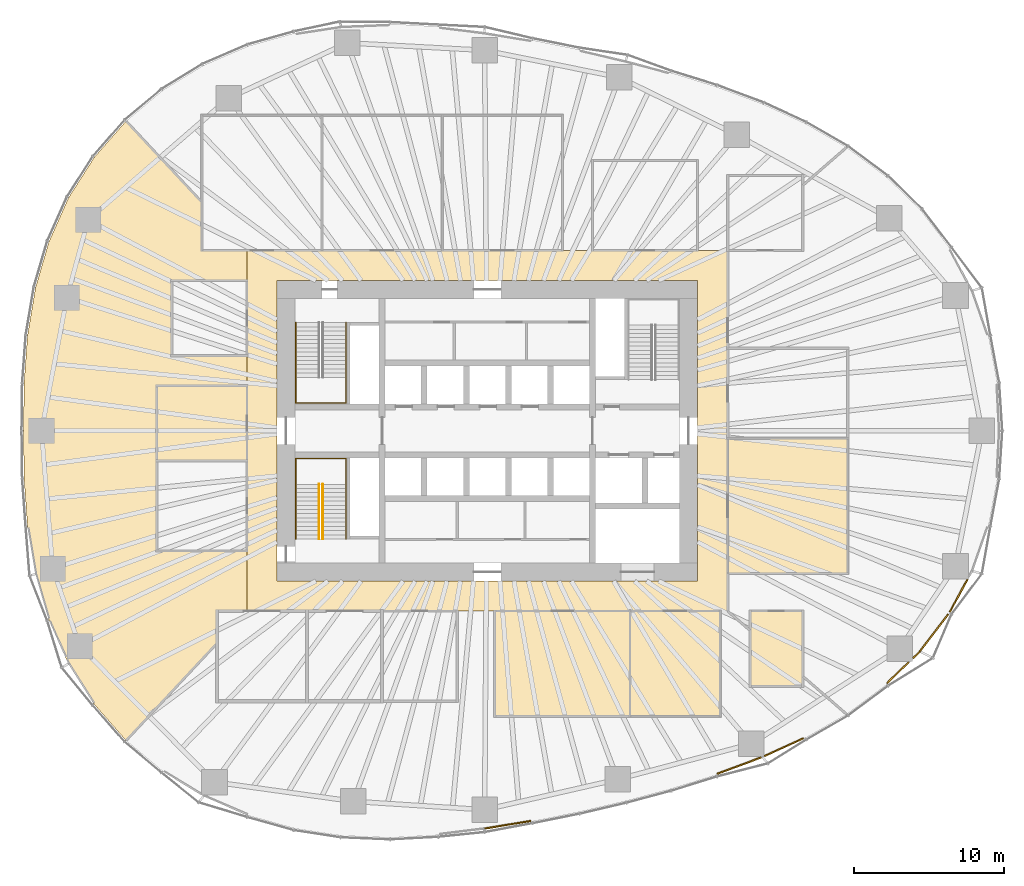
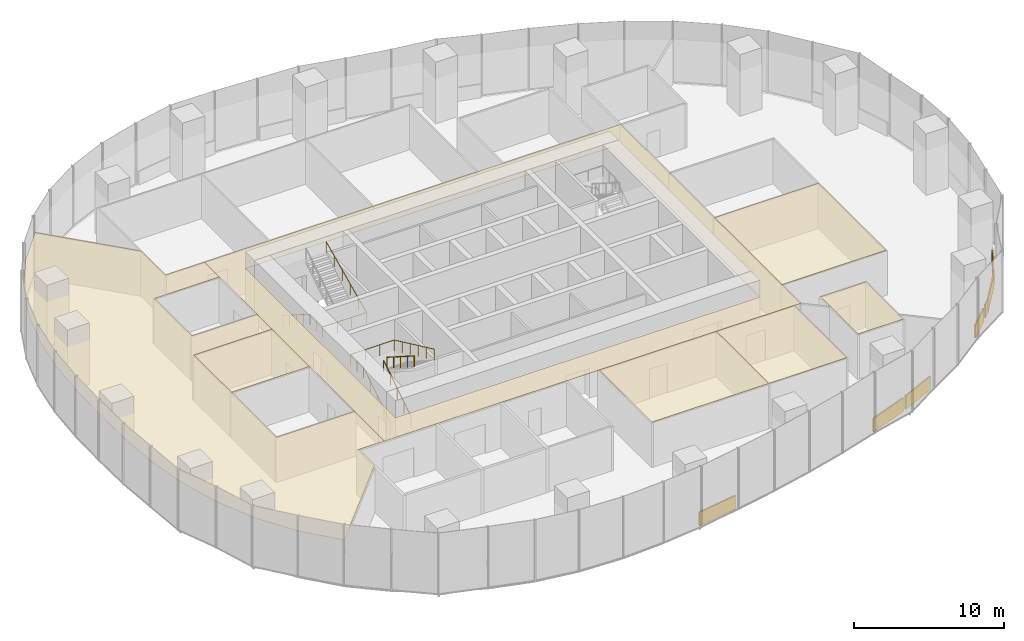
# One storey, part 18 of 20: 14 coverings, 4 railings.
"""IFC4 building model written with IfcOpenShell, lengths in metres."""

from ifc_helpers import new_model, si_unit, direction, frame, origin, origin_2d, place, context, subcontext, project, spatial, polyline, rectangle, circle, outline, extrude, material, layer, layer_set, type_object, element, save


model = new_model("IFC4")

# Units and contexts
model_context = context("Model", 3, precision=1e-05, world=origin(), true_north=direction((0.0, 1.0)))
body_context = subcontext(model_context, "Body", "Model", "MODEL_VIEW")
ifc_project = project(units=[si_unit("LENGTHUNIT", "METRE"), si_unit("AREAUNIT", "SQUARE_METRE"), si_unit("VOLUMEUNIT", "CUBIC_METRE"), si_unit("PLANEANGLEUNIT", "RADIAN"), si_unit("MASSUNIT", "GRAM", prefix="KILO")], contexts=[model_context])

# Site, building, storey
site_placement = place(None, origin())
site = spatial("IfcSite", under=ifc_project, at=site_placement, CompositionType="ELEMENT")
building_placement = place(site_placement, origin())
building = spatial("IfcBuilding", under=site, at=building_placement, Name="Ghaith Harvest Tower", CompositionType="ELEMENT")
storey_placement = place(building_placement, frame((0.0, 0.0, 65.0)))
storey = spatial("IfcBuildingStorey", under=building, at=storey_placement, Name="L13", CompositionType="ELEMENT", Elevation=65.0)

# Coverings
ifc_material_1 = material(Name="Mineral fibre ceiling tile", Category="gypsum")
ifc_layer_1 = layer(ifc_material_1, 0.02490234375)
ifc_layer_set_1 = layer_set([ifc_layer_1], Name="CEILING C2")
covering_type_1 = type_object("IfcCoveringType", Name="CEILING C2", PredefinedType="CEILING", material=ifc_layer_set_1)
covering_1_placement = place(storey_placement, frame((0.0, 0.0, 3.60009765625)))
element("IfcCovering", 1, at=covering_1_placement, inside=storey, type_object=covering_type_1, Name="Ceiling L13-05", PredefinedType="CEILING", context=body_context, shape_type="SweptSolid", body=[
    extrude(outline(polyline([(16.0, -9.5), (24.0, -9.5), (24.0, -0.5), (16.0, -0.5), (16.0, -9.5)])), origin(), (0.0, 0.0, 1.0), 0.02490234375),
])
covering_2_placement = place(storey_placement, frame((0.0, 0.0, 3.60009765625)))
element("IfcCovering", 2, at=covering_2_placement, inside=storey, type_object=covering_type_1, Name="Ceiling L13-08", PredefinedType="CEILING", context=body_context, shape_type="SweptSolid", body=[
    extrude(outline(polyline([(-22.0, -2.0), (-16.0, -2.0), (-16.0, 3.0), (-22.0, 3.0), (-22.0, -2.0)])), origin(), (0.0, 0.0, 1.0), 0.02490234375),
])
covering_3_placement = place(storey_placement, frame((0.0, 0.0, 3.60009765625)))
element("IfcCovering", 3, at=covering_3_placement, inside=storey, type_object=covering_type_1, Name="Ceiling L13-12", PredefinedType="CEILING", context=body_context, shape_type="SweptSolid", body=[
    extrude(outline(polyline([(0.5, -19.0), (9.5, -19.0), (9.5, -12.0), (0.5, -12.0), (0.5, -19.0)])), origin(), (0.0, 0.0, 1.0), 0.02490234375),
])
covering_4_placement = place(storey_placement, frame((0.0, 0.0, 3.60009765625)))
element("IfcCovering", 4, at=covering_4_placement, inside=storey, type_object=covering_type_1, Name="Ceiling L13-13", PredefinedType="CEILING", context=body_context, shape_type="SweptSolid", body=[
    extrude(outline(polyline([(9.5, -19.0), (15.5, -19.0), (15.5, -12.0), (9.5, -12.0), (9.5, -19.0)])), origin(), (0.0, 0.0, 1.0), 0.02490234375),
])
covering_5_placement = place(storey_placement, frame((0.0, 0.0, 3.60009765625)))
element("IfcCovering", 5, at=covering_5_placement, inside=storey, type_object=covering_type_1, Name="Ceiling L13-15", PredefinedType="CEILING", context=body_context, shape_type="SweptSolid", body=[
    extrude(outline(polyline([(17.5, -17.0), (21.0, -17.0), (21.0, -12.0), (17.5, -12.0), (17.5, -17.0)])), origin(), (0.0, 0.0, 1.0), 0.02490234375),
])
covering_6_placement = place(storey_placement, frame((0.0, 0.0, 3.60009765625)))
element("IfcCovering", 6, at=covering_6_placement, inside=storey, type_object=covering_type_1, Name="Ceiling L13-C1", PredefinedType="CEILING", context=body_context, shape_type="SweptSolid", body=[
    extrude(outline(polyline([(-16.0, 12.0), (16.0, 12.0), (16.0, -12.0), (-16.0, -12.0), (-16.0, 12.0)]), holes=[polyline([(14.0, 10.0), (-14.0, 10.0), (-14.0, -10.0), (14.0, -10.0), (14.0, 10.0)])]), origin(), (0.0, 0.0, 1.0), 0.02490234375),
])
covering_7_placement = place(storey_placement, frame((0.0, 0.0, 3.60009765625)))
element("IfcCovering", 7, at=covering_7_placement, inside=storey, type_object=covering_type_1, Name="Ceiling L13-W1", PredefinedType="CEILING", context=body_context, shape_type="SweptSolid", body=[
    extrude(outline(polyline([(-26.16455078125, -18.20556640625), (-27.881591796875, -15.507080078125), (-29.182373046875, -12.587890625), (-30.073974609375, -9.531005859375), (-30.606689453125, -6.35107421875), (-30.837158203125, -3.165771484375), (-30.875, 0.0), (-30.837158203125, 3.165771484375), (-30.606689453125, 6.35107421875), (-30.073974609375, 9.531005859375), (-29.182373046875, 12.587890625), (-27.881591796875, 15.507080078125), (-26.16455078125, 18.20556640625), (-24.04833984375, 20.618408203125), (-19.0, 15.21240234375), (-19.0, 12.0), (-16.0, 12.0), (-16.0, 10.0), (-21.0, 10.0), (-21.0, 5.0), (-16.0, 5.0), (-16.0, 3.0), (-22.0, 3.0), (-22.0, -8.0), (-16.0, -8.0), (-16.0, -12.0), (-18.0, -12.0), (-18.0, -14.1416015625), (-24.04833984375, -20.618408203125), (-26.16455078125, -18.20556640625)])), origin(), (0.0, 0.0, 1.0), 0.02490234375),
])

# Railings
ifc_material_2 = material(Name="Steel, black powder-coated", Category="steel")
railing_type = type_object("IfcRailingType", Name="HANDRAIL HR1", PredefinedType="HANDRAIL", material=ifc_material_2)
railing_1_placement = place(storey_placement, frame((-12.75, 7.199951171875, 0.178466796875)))
element("IfcRailing", 8, at=railing_1_placement, inside=storey, type_object=railing_type, Name="Handrail HR1 stair ST1 L13 wall side", PredefinedType="HANDRAIL", context=body_context, shape_type="SweptSolid", body=[
    extrude(circle(Radius=0.02392578125, at=origin_2d()), frame((0.0, 0.0, 0.8759765625), z_axis=(0.0, -0.843111507901, 0.53773877045), x_axis=(1.0, 0.0, 0.0)), (0.0, 0.0, 1.0), 4.317138671875),
    extrude(circle(Radius=0.02392578125, at=origin_2d()), frame((0.0, -3.639892578125, 3.197265625), z_axis=(0.0, -1.0, 0.0), x_axis=(1.0, 0.0, 0.0)), (0.0, 0.0, 1.0), 1.7099609375),
    extrude(circle(Radius=0.02392578125, at=origin_2d()), frame((0.0, -5.349853515625, 3.197265625), z_axis=(1.0, 0.0, 0.0), x_axis=(0.0, 1.0, 0.0)), (0.0, 0.0, 1.0), 3.35009765625),
    extrude(circle(Radius=0.02392578125, at=origin_2d()), frame((3.35009765625, -5.349853515625, 3.197265625), z_axis=(0.0, 0.905962265858, 0.423358444868), x_axis=(-1.0, 0.0, 0.0)), (0.0, 0.0, 1.0), 5.9052734375),
    extrude(circle(Radius=0.02099609375, at=origin_2d()), origin(), (0.0, 0.0, 1.0), 0.851806640625),
    extrude(circle(Radius=0.02099609375, at=origin_2d()), frame((0.0, -0.909912109375, 0.580322265625)), (0.0, 0.0, 1.0), 0.851806640625),
    extrude(circle(Radius=0.02099609375, at=origin_2d()), frame((0.0, -1.81982421875, 1.16064453125)), (0.0, 0.0, 1.0), 0.851806640625),
    extrude(circle(Radius=0.02099609375, at=origin_2d()), frame((0.0, -2.72998046875, 1.7412109375)), (0.0, 0.0, 1.0), 0.851806640625),
    extrude(circle(Radius=0.02099609375, at=origin_2d()), frame((0.0, -3.639892578125, 2.321533203125)), (0.0, 0.0, 1.0), 0.851806640625),
    extrude(circle(Radius=0.02099609375, at=origin_2d()), frame((0.0, -4.494873046875, 2.321533203125)), (0.0, 0.0, 1.0), 0.851806640625),
    extrude(circle(Radius=0.02099609375, at=origin_2d()), frame((0.0, -5.349853515625, 2.321533203125)), (0.0, 0.0, 1.0), 0.851806640625),
    extrude(circle(Radius=0.02099609375, at=origin_2d()), frame((1.11669921875, -5.349853515625, 2.321533203125)), (0.0, 0.0, 1.0), 0.851806640625),
    extrude(circle(Radius=0.02099609375, at=origin_2d()), frame((2.2333984375, -5.349853515625, 2.321533203125)), (0.0, 0.0, 1.0), 0.851806640625),
    extrude(circle(Radius=0.02099609375, at=origin_2d()), frame((3.35009765625, -5.349853515625, 2.321533203125)), (0.0, 0.0, 1.0), 0.851806640625),
    extrude(circle(Radius=0.02099609375, at=origin_2d()), frame((3.35009765625, -4.27978515625, 2.821533203125)), (0.0, 0.0, 1.0), 0.851806640625),
    extrude(circle(Radius=0.02099609375, at=origin_2d()), frame((3.35009765625, -3.2099609375, 3.321533203125)), (0.0, 0.0, 1.0), 0.851806640625),
    extrude(circle(Radius=0.02099609375, at=origin_2d()), frame((3.35009765625, -2.139892578125, 3.821533203125)), (0.0, 0.0, 1.0), 0.851806640625),
    extrude(circle(Radius=0.02099609375, at=origin_2d()), frame((3.35009765625, -1.070068359375, 4.321533203125)), (0.0, 0.0, 1.0), 0.851806640625),
    extrude(circle(Radius=0.02099609375, at=origin_2d()), frame((3.35009765625, 0.0, 4.821533203125)), (0.0, 0.0, 1.0), 0.851806640625),
])
railing_2_placement = place(storey_placement, frame((-11.199951171875, -7.199951171875, 0.178466796875)))
element("IfcRailing", 9, at=railing_2_placement, inside=storey, type_object=railing_type, Name="Handrail HR1 stair ST3 L13 flight 1 inner", PredefinedType="HANDRAIL", context=body_context, shape_type="SweptSolid", body=[
    extrude(circle(Radius=0.02392578125, at=origin_2d()), frame((0.0, 0.0, 0.8759765625), z_axis=(0.0, 0.843111507901, 0.53773877045), x_axis=(-1.0, 0.0, 0.0)), (0.0, 0.0, 1.0), 4.317138671875),
    extrude(circle(Radius=0.02099609375, at=origin_2d()), origin(), (0.0, 0.0, 1.0), 0.851806640625),
    extrude(circle(Radius=0.02099609375, at=origin_2d()), frame((0.0, 0.909912109375, 0.580322265625)), (0.0, 0.0, 1.0), 0.851806640625),
    extrude(circle(Radius=0.02099609375, at=origin_2d()), frame((0.0, 1.81982421875, 1.16064453125)), (0.0, 0.0, 1.0), 0.851806640625),
    extrude(circle(Radius=0.02099609375, at=origin_2d()), frame((0.0, 2.72998046875, 1.7412109375)), (0.0, 0.0, 1.0), 0.851806640625),
    extrude(circle(Radius=0.02099609375, at=origin_2d()), frame((0.0, 3.639892578125, 2.321533203125)), (0.0, 0.0, 1.0), 0.851806640625),
])
railing_3_placement = place(storey_placement, frame((-10.949951171875, -3.56005859375, 2.678466796875)))
element("IfcRailing", 10, at=railing_3_placement, inside=storey, type_object=railing_type, Name="Handrail HR1 stair ST3 L13 flight 2 inner", PredefinedType="HANDRAIL", context=body_context, shape_type="SweptSolid", body=[
    extrude(circle(Radius=0.02392578125, at=origin_2d()), frame((0.0, 0.0, 0.8759765625), z_axis=(0.0, -0.843111507901, 0.53773877045), x_axis=(1.0, 0.0, 0.0)), (0.0, 0.0, 1.0), 4.317138671875),
    extrude(circle(Radius=0.02099609375, at=origin_2d()), origin(), (0.0, 0.0, 1.0), 0.851806640625),
    extrude(circle(Radius=0.02099609375, at=origin_2d()), frame((0.0, -0.909912109375, 0.580322265625)), (0.0, 0.0, 1.0), 0.851806640625),
    extrude(circle(Radius=0.02099609375, at=origin_2d()), frame((0.0, -1.81982421875, 1.16064453125)), (0.0, 0.0, 1.0), 0.851806640625),
    extrude(circle(Radius=0.02099609375, at=origin_2d()), frame((0.0, -2.72998046875, 1.7412109375)), (0.0, 0.0, 1.0), 0.851806640625),
    extrude(circle(Radius=0.02099609375, at=origin_2d()), frame((0.0, -3.639892578125, 2.321533203125)), (0.0, 0.0, 1.0), 0.851806640625),
])
railing_4_placement = place(storey_placement, frame((-12.75, -7.199951171875, 0.178466796875)))
element("IfcRailing", 11, at=railing_4_placement, inside=storey, type_object=railing_type, Name="Handrail HR1 stair ST3 L13 wall side", PredefinedType="HANDRAIL", context=body_context, shape_type="SweptSolid", body=[
    extrude(circle(Radius=0.02392578125, at=origin_2d()), frame((0.0, 0.0, 0.8759765625), z_axis=(0.0, 0.843111507901, 0.53773877045), x_axis=(-1.0, 0.0, 0.0)), (0.0, 0.0, 1.0), 4.317138671875),
    extrude(circle(Radius=0.02392578125, at=origin_2d()), frame((0.0, 3.639892578125, 3.197265625), z_axis=(0.0, 1.0, 0.0), x_axis=(-1.0, 0.0, 0.0)), (0.0, 0.0, 1.0), 1.7099609375),
    extrude(circle(Radius=0.02392578125, at=origin_2d()), frame((0.0, 5.349853515625, 3.197265625), z_axis=(1.0, 0.0, 0.0), x_axis=(0.0, 1.0, 0.0)), (0.0, 0.0, 1.0), 3.35009765625),
    extrude(circle(Radius=0.02392578125, at=origin_2d()), frame((3.35009765625, 5.349853515625, 3.197265625), z_axis=(0.0, -0.905962265858, 0.423358444868), x_axis=(1.0, 0.0, 0.0)), (0.0, 0.0, 1.0), 5.9052734375),
    extrude(circle(Radius=0.02099609375, at=origin_2d()), origin(), (0.0, 0.0, 1.0), 0.851806640625),
    extrude(circle(Radius=0.02099609375, at=origin_2d()), frame((0.0, 0.909912109375, 0.580322265625)), (0.0, 0.0, 1.0), 0.851806640625),
    extrude(circle(Radius=0.02099609375, at=origin_2d()), frame((0.0, 1.81982421875, 1.16064453125)), (0.0, 0.0, 1.0), 0.851806640625),
    extrude(circle(Radius=0.02099609375, at=origin_2d()), frame((0.0, 2.72998046875, 1.7412109375)), (0.0, 0.0, 1.0), 0.851806640625),
    extrude(circle(Radius=0.02099609375, at=origin_2d()), frame((0.0, 3.639892578125, 2.321533203125)), (0.0, 0.0, 1.0), 0.851806640625),
    extrude(circle(Radius=0.02099609375, at=origin_2d()), frame((0.0, 4.494873046875, 2.321533203125)), (0.0, 0.0, 1.0), 0.851806640625),
    extrude(circle(Radius=0.02099609375, at=origin_2d()), frame((0.0, 5.349853515625, 2.321533203125)), (0.0, 0.0, 1.0), 0.851806640625),
    extrude(circle(Radius=0.02099609375, at=origin_2d()), frame((1.11669921875, 5.349853515625, 2.321533203125)), (0.0, 0.0, 1.0), 0.851806640625),
    extrude(circle(Radius=0.02099609375, at=origin_2d()), frame((2.2333984375, 5.349853515625, 2.321533203125)), (0.0, 0.0, 1.0), 0.851806640625),
    extrude(circle(Radius=0.02099609375, at=origin_2d()), frame((3.35009765625, 5.349853515625, 2.321533203125)), (0.0, 0.0, 1.0), 0.851806640625),
    extrude(circle(Radius=0.02099609375, at=origin_2d()), frame((3.35009765625, 4.27978515625, 2.821533203125)), (0.0, 0.0, 1.0), 0.851806640625),
    extrude(circle(Radius=0.02099609375, at=origin_2d()), frame((3.35009765625, 3.2099609375, 3.321533203125)), (0.0, 0.0, 1.0), 0.851806640625),
    extrude(circle(Radius=0.02099609375, at=origin_2d()), frame((3.35009765625, 2.139892578125, 3.821533203125)), (0.0, 0.0, 1.0), 0.851806640625),
    extrude(circle(Radius=0.02099609375, at=origin_2d()), frame((3.35009765625, 1.070068359375, 4.321533203125)), (0.0, 0.0, 1.0), 0.851806640625),
    extrude(circle(Radius=0.02099609375, at=origin_2d()), frame((3.35009765625, 0.0, 4.821533203125)), (0.0, 0.0, 1.0), 0.851806640625),
])

# Coverings
ifc_material_3 = material(Name="Insulated aluminium spandrel panel on steel framing", Category="steel")
ifc_layer_2 = layer(ifc_material_3, 0.10009765625)
ifc_layer_set_2 = layer_set([ifc_layer_2], Name="SLAB EDGE UPSTAND 1100x100")
covering_type_2 = type_object("IfcCoveringType", Name="SLAB EDGE UPSTAND 1100x100", PredefinedType="CLADDING", material=ifc_layer_set_2)
covering_8_placement = place(storey_placement, frame((1.349609375, -26.224365234375, 0.0), z_axis=(0.0, 0.0, 1.0), x_axis=(0.98671624755, 0.162453214254, 0.0)))
element("IfcCovering", 12, at=covering_8_placement, inside=storey, type_object=covering_type_2, Name="Slab edge upstand 1 bay 16 L13", PredefinedType="CLADDING", context=body_context, shape_type="SweptSolid", body=[
    extrude(rectangle(XDim=3.119873046875, YDim=0.10009765625, at=origin_2d()), origin(), (0.0, 0.0, 1.0), 1.10009765625),
])
covering_9_placement = place(storey_placement, frame((16.764404296875, -22.289306640625, 0.0), z_axis=(0.0, 0.0, 1.0), x_axis=(0.937331853701, 0.348437937139, 0.0)))
element("IfcCovering", 13, at=covering_9_placement, inside=storey, type_object=covering_type_2, Name="Slab edge upstand 3 bay 17 L13", PredefinedType="CLADDING", context=body_context, shape_type="SweptSolid", body=[
    extrude(rectangle(XDim=3.1298828125, YDim=0.10009765625, at=origin_2d()), origin(), (0.0, 0.0, 1.0), 1.10009765625),
])
covering_10_placement = place(storey_placement, frame((19.7451171875, -21.05810546875, 0.0), z_axis=(0.0, 0.0, 1.0), x_axis=(0.909046054499, 0.416695657284, 0.0)))
element("IfcCovering", 14, at=covering_10_placement, inside=storey, type_object=covering_type_2, Name="Slab edge upstand 1 bay 18 L13", PredefinedType="CLADDING", context=body_context, shape_type="SweptSolid", body=[
    extrude(rectangle(XDim=2.84326171875, YDim=0.10009765625, at=origin_2d()), origin(), (0.0, 0.0, 1.0), 1.10009765625),
])
covering_11_placement = place(storey_placement, frame((27.330810546875, -16.105224609375, 0.0), z_axis=(0.0, 0.0, 1.0), x_axis=(0.717386427289, 0.69667547247, 0.0)))
element("IfcCovering", 15, at=covering_11_placement, inside=storey, type_object=covering_type_2, Name="Slab edge upstand 1 bay 19 L13", PredefinedType="CLADDING", context=body_context, shape_type="SweptSolid", body=[
    extrude(rectangle(XDim=2.010498046875, YDim=0.10009765625, at=origin_2d()), origin(), (0.0, 0.0, 1.0), 1.10009765625),
])
covering_12_placement = place(storey_placement, frame((28.57470703125, -14.897216796875, 0.0), z_axis=(0.0, 0.0, 1.0), x_axis=(0.717386427289, 0.69667547247, 0.0)))
element("IfcCovering", 16, at=covering_12_placement, inside=storey, type_object=covering_type_2, Name="Slab edge upstand 1 bay 19 L13", PredefinedType="CLADDING", context=body_context, shape_type="SweptSolid", body=[
    extrude(rectangle(XDim=0.643310546875, YDim=0.10009765625, at=origin_2d()), origin(), (0.0, 0.0, 1.0), 1.10009765625),
])
covering_13_placement = place(storey_placement, frame((29.74267578125, -13.44921875, 0.0), z_axis=(0.0, 0.0, 1.0), x_axis=(0.608255123652, 0.7937415855, 0.0)))
element("IfcCovering", 17, at=covering_13_placement, inside=storey, type_object=covering_type_2, Name="Slab edge upstand 2 bay 19 L13", PredefinedType="CLADDING", context=body_context, shape_type="SweptSolid", body=[
    extrude(rectangle(XDim=3.09765625, YDim=0.10009765625, at=origin_2d()), origin(), (0.0, 0.0, 1.0), 1.10009765625),
])
covering_14_placement = place(storey_placement, frame((31.3759765625, -10.9755859375, 0.0), z_axis=(0.0, 0.0, 1.0), x_axis=(0.4763492928, 0.879256135178, 0.0)))
element("IfcCovering", 18, at=covering_14_placement, inside=storey, type_object=covering_type_2, Name="Slab edge upstand 3 bay 19 L13", PredefinedType="CLADDING", context=body_context, shape_type="SweptSolid", body=[
    extrude(rectangle(XDim=2.46484375, YDim=0.10009765625, at=origin_2d()), origin(), (0.0, 0.0, 1.0), 1.10009765625),
])

save(model, "model.ifc")
